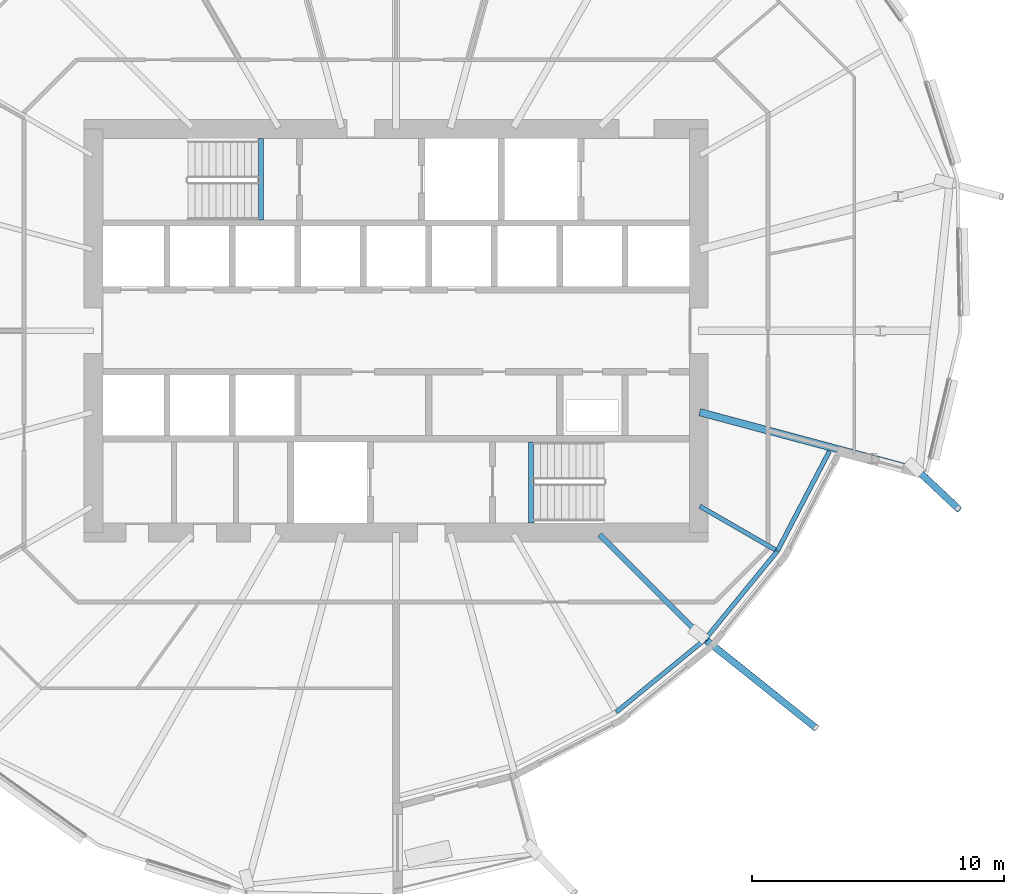
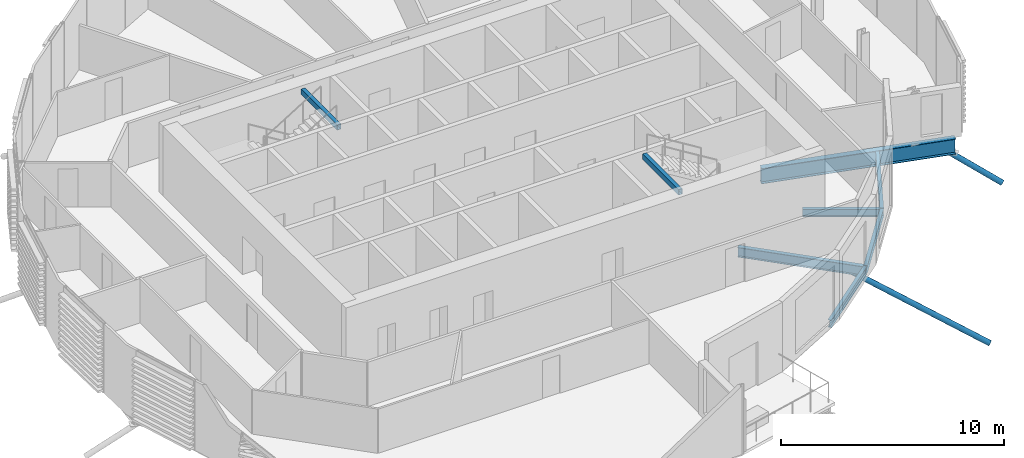
# One storey, part 15 of 43: 8 beams, 2 members.
"""IFC4 building model written with IfcOpenShell, lengths in metres."""

from ifc_helpers import new_model, si_unit, direction, frame, origin, origin_2d, place, context, subcontext, project, spatial, hollow_rectangle, hollow_circle, i_section, extrude, clip, halfspace, material, material_profile, profile_set, type_object, element, save


model = new_model("IFC4")

# Units and contexts
model_context = context("Model", 3, precision=1e-05, world=origin(), true_north=direction((0.0, 1.0)))
body_context = subcontext(model_context, "Body", "Model", "MODEL_VIEW")
ifc_project = project(units=[si_unit("LENGTHUNIT", "METRE"), si_unit("AREAUNIT", "SQUARE_METRE"), si_unit("VOLUMEUNIT", "CUBIC_METRE"), si_unit("PLANEANGLEUNIT", "RADIAN"), si_unit("MASSUNIT", "GRAM", prefix="KILO")], contexts=[model_context])

# Site, building, storey
site_placement = place(None, origin())
site = spatial("IfcSite", under=ifc_project, at=site_placement, CompositionType="ELEMENT")
building_placement = place(site_placement, origin())
building = spatial("IfcBuilding", under=site, at=building_placement, Name="Rimbun Link Towers", CompositionType="ELEMENT")
storey_placement = place(building_placement, frame((0.0, 0.0, 81.60009765625)))
storey = spatial("IfcBuildingStorey", under=building, at=storey_placement, Name="L19", CompositionType="ELEMENT", Elevation=81.60009765625)

# Members
ifc_material_1 = material(Name="Steel S355J2H", Category="steel")
ifc_material_profile_1 = material_profile(ifc_material_1, hollow_circle(Radius=0.136474609375, WallThickness=0.012451171875, at=origin_2d()), Name="CHS 273x12.5")
ifc_profile_set_1 = profile_set([ifc_material_profile_1], Name="Steel S355J2H")
member_type = type_object("IfcMemberType", Name="Floor edge link CHS 273x12.5", PredefinedType="BRACE", material=ifc_profile_set_1)
member_1_placement = place(storey_placement, frame((43.894287109375, -12.144287109375, -0.8154296875), z_axis=(0.693289845957, -0.554053289889, -0.460840689888), x_axis=(0.62429744133, 0.781186728477, 0.0)))
element("IfcMember", 1, at=member_1_placement, inside=storey, type_object=member_type, Name="Floor edge link T2 L19 18", PredefinedType="BRACE", context=body_context, shape_type="Clipping", body=[
    clip(extrude(hollow_circle(Radius=0.136474609375, WallThickness=0.012451171875, at=origin_2d()), frame((0.0, 0.0, -0.54736328125)), (0.0, 0.0, 1.0), 7.045654296875), halfspace(frame((0.0, 0.0, -0.260986328125), z_axis=(0.0, 0.887482877888, -0.460840689888)), False)),
])
member_2_placement = place(storey_placement, frame((52.438720703125, -5.543701171875, -1.12109375), z_axis=(0.643930639668, -0.606777064044, -0.466020306261), x_axis=(0.685798912885, 0.727791076536, 0.0)))
element("IfcMember", 2, at=member_2_placement, inside=storey, type_object=member_type, Name="Floor edge link T2 L19 20", PredefinedType="BRACE", context=body_context, shape_type="Clipping", body=[
    clip(extrude(hollow_circle(Radius=0.136474609375, WallThickness=0.012451171875, at=origin_2d()), frame((0.0, 0.0, -0.539794921875)), (0.0, 0.0, 1.0), 3.056640625), halfspace(frame((0.0, 0.0, -0.25390625), z_axis=(0.0, 0.884774024343, -0.466020306261)), False)),
])

# Beams
ifc_material_2 = material(Name="Steel S355J2", Category="steel")
ifc_material_profile_2 = material_profile(ifc_material_2, hollow_rectangle(XDim=0.199951171875, YDim=0.300048828125, WallThickness=0.011962890625, at=origin_2d()), Name="BOX 300x200x12")
ifc_profile_set_2 = profile_set([ifc_material_profile_2], Name="Steel S355J2")
beam_type_1 = type_object("IfcBeamType", Name="Stair trimmer beam BOX 300x200x12", PredefinedType="BEAM", material=ifc_profile_set_2)
for number, where, z_axis, x_axis, name in (
    (3, (26.39990234375, 7.625, 3.489990234375), (0.0, -1.0, 0.0), (1.0, 0.0, 0.0), "L19 ST3 stair beam 1"),
    (4, (37.10009765625, -7.625, 3.489990234375), (0.0, 1.0, 0.0), (-1.0, 0.0, 0.0), "L19 ST4 stair beam 1"),
):
    element("IfcBeam", number, at=place(storey_placement, frame(where, z_axis=z_axis, x_axis=x_axis)), inside=storey, type_object=beam_type_1, Name=name, PredefinedType="BEAM", context=body_context, shape_type="SweptSolid", body=[
        extrude(hollow_rectangle(XDim=0.199951171875, YDim=0.300048828125, WallThickness=0.011962890625, at=origin_2d()), origin(), (0.0, 0.0, 1.0), 3.22509765625),
    ])
ifc_material_3 = material(Name="Steel S355J2", Category="steel")
ifc_material_profile_3 = material_profile(ifc_material_3, i_section(OverallWidth=0.177978515625, OverallDepth=0.406494140625, WebThickness=0.0078125, FlangeThickness=0.0126953125, at=origin_2d()), Name="UB 406x178x60")
ifc_profile_set_3 = profile_set([ifc_material_profile_3], Name="Steel S355J2")
beam_type_2 = type_object("IfcBeamType", Name="UB 406x178x60", PredefinedType="BEAM", material=ifc_profile_set_3)
beam_1_placement = place(storey_placement, frame((43.79541015625, -6.954345703125, -0.36328125), z_axis=(0.866028087245, -0.499995352082, 0.0), x_axis=(0.499995352082, 0.866028087245, 0.0)))
element("IfcBeam", 5, at=beam_1_placement, inside=storey, type_object=beam_type_2, Name="Radial beam T2 L19 19", PredefinedType="BEAM", context=body_context, shape_type="SweptSolid", body=[
    extrude(i_section(OverallWidth=0.177978515625, OverallDepth=0.406494140625, WebThickness=0.0078125, FlangeThickness=0.0126953125, at=origin_2d()), origin(), (0.0, 0.0, 1.0), 3.458984375),
])
for number, where, z_axis, x_axis, name in (
    (6, (40.48681640625, -15.112548828125, -0.36328125), (0.773913988225, 0.633290722204, 0.0), (-0.633290722204, 0.773913988225, 0.0), "Edge beam T2 L19 17 recess"),
    (7, (43.99951171875, -12.235595703125, -0.36328125), (0.633290722204, 0.773913988225, 0.0), (-0.773913988225, 0.633290722204, 0.0), "Edge beam T2 L19 18 recess"),
):
    element("IfcBeam", number, at=place(storey_placement, frame(where, z_axis=z_axis, x_axis=x_axis)), inside=storey, type_object=beam_type_2, Name=name, PredefinedType="BEAM", context=body_context, shape_type="SweptSolid", body=[
        extrude(i_section(OverallWidth=0.177978515625, OverallDepth=0.406494140625, WebThickness=0.0078125, FlangeThickness=0.0126953125, at=origin_2d()), origin(), (0.0, 0.0, 1.0), 4.52099609375),
    ])
beam_2_placement = place(storey_placement, frame((46.873779296875, -8.719970703125, -0.36328125), z_axis=(0.462320257791, 0.886713019661, 0.0), x_axis=(-0.886713019661, 0.462320257791, 0.0)))
element("IfcBeam", 8, at=beam_2_placement, inside=storey, type_object=beam_type_2, Name="Edge beam T2 L19 19 recess", PredefinedType="BEAM", context=body_context, shape_type="SweptSolid", body=[
    extrude(i_section(OverallWidth=0.177978515625, OverallDepth=0.406494140625, WebThickness=0.0078125, FlangeThickness=0.0126953125, at=origin_2d()), origin(), (0.0, 0.0, 1.0), 4.447998046875),
])
ifc_material_4 = material(Name="Steel S355J2", Category="steel")
ifc_material_profile_4 = material_profile(ifc_material_4, i_section(OverallWidth=0.209228515625, OverallDepth=0.533203125, WebThickness=0.010009765625, FlangeThickness=0.015625, at=origin_2d()), Name="UB 533x210x92")
ifc_profile_set_4 = profile_set([ifc_material_profile_4], Name="Steel S355J2")
beam_type_3 = type_object("IfcBeamType", Name="UB 533x210x92", PredefinedType="BEAM", material=ifc_profile_set_4)
beam_3_placement = place(storey_placement, frame((39.82470703125, -8.07470703125, -0.426513671875), z_axis=(0.707106781187, -0.707106781187, 0.0), x_axis=(0.707106781187, 0.707106781187, 0.0)))
element("IfcBeam", 9, at=beam_3_placement, inside=storey, type_object=beam_type_3, Name="Radial beam T2 L19 18", PredefinedType="BEAM", context=body_context, shape_type="SweptSolid", body=[
    extrude(i_section(OverallWidth=0.209228515625, OverallDepth=0.533203125, WebThickness=0.010009765625, FlangeThickness=0.015625, at=origin_2d()), origin(), (0.0, 0.0, 1.0), 5.805419921875),
])
ifc_material_5 = material(Name="Steel S355J2", Category="steel")
ifc_material_profile_5 = material_profile(ifc_material_5, i_section(OverallWidth=0.29248046875, OverallDepth=0.8408203125, WebThickness=0.0126953125, FlangeThickness=0.021728515625, at=origin_2d()), Name="UB 838x292x194")
ifc_profile_set_5 = profile_set([ifc_material_profile_5], Name="Steel S355J2")
beam_type_4 = type_object("IfcBeamType", Name="UB 838x292x194", PredefinedType="BEAM", material=ifc_profile_set_5)
beam_4_placement = place(storey_placement, frame((43.788818359375, -3.225830078125, -0.58056640625), z_axis=(0.965929173315, -0.25880655351, 0.0), x_axis=(0.25880655351, 0.965929173315, 0.0)))
element("IfcBeam", 10, at=beam_4_placement, inside=storey, type_object=beam_type_4, Name="Radial beam T2 L19 20", PredefinedType="BEAM", context=body_context, shape_type="SweptSolid", body=[
    extrude(i_section(OverallWidth=0.29248046875, OverallDepth=0.8408203125, WebThickness=0.0126953125, FlangeThickness=0.021728515625, at=origin_2d()), origin(), (0.0, 0.0, 1.0), 9.005126953125),
])

save(model, "model.ifc")
